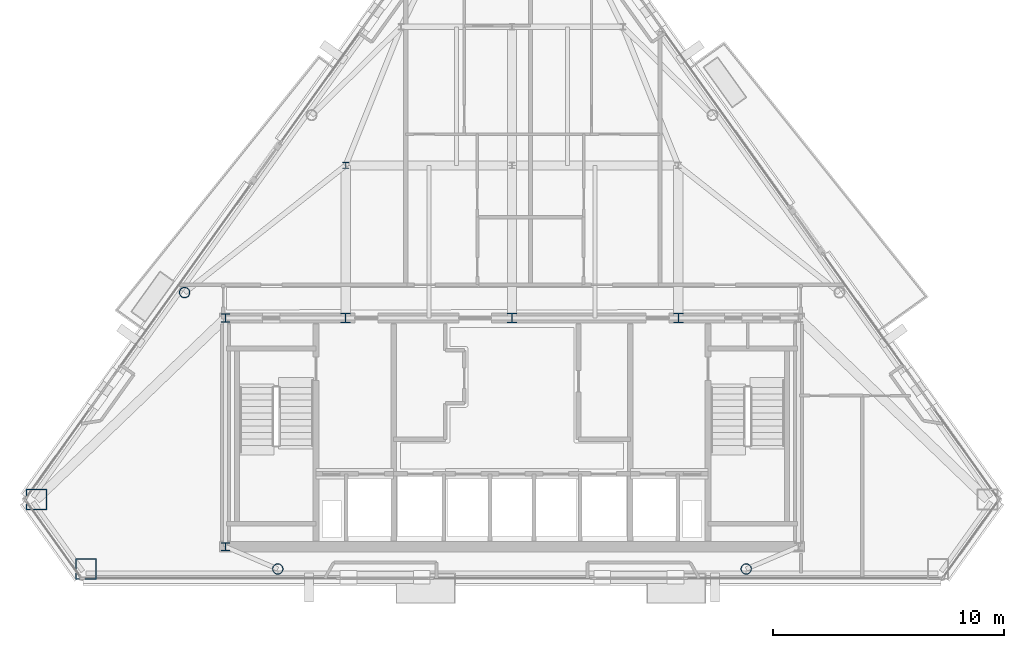
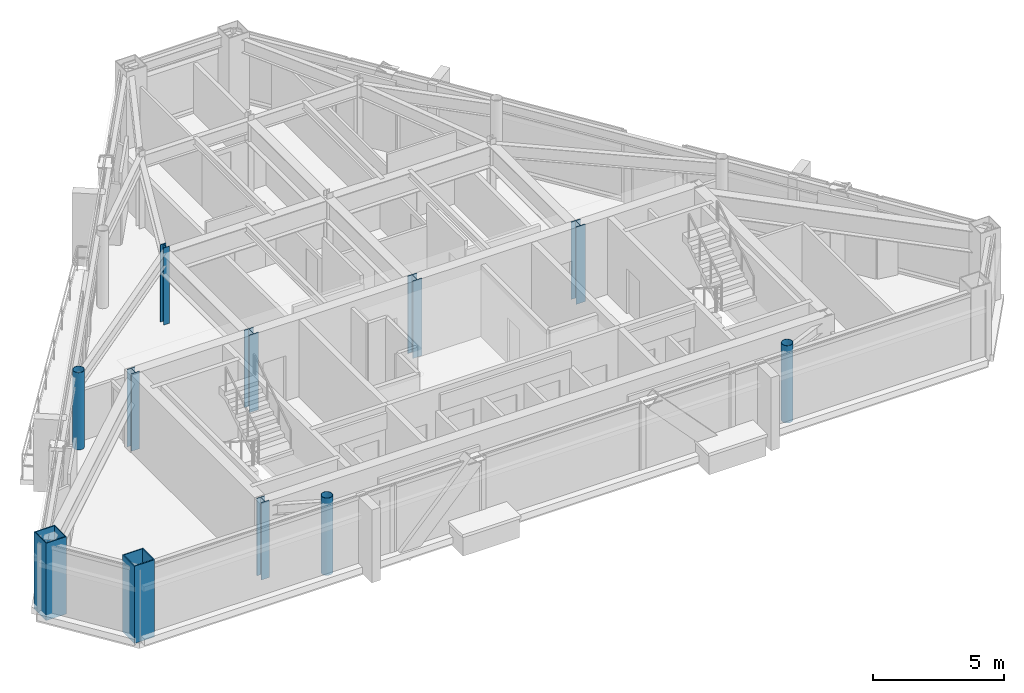
# One storey, part 1 of 12: 11 columns.
"""IFC4 building model written with IfcOpenShell, lengths in metres."""

from ifc_helpers import new_model, si_unit, direction, frame, origin, origin_2d, place, context, subcontext, project, spatial, hollow_rectangle, hollow_circle, i_section, extrude, material, material_profile, profile_set, type_object, element, save


model = new_model("IFC4")

# Units and contexts
model_context = context("Model", 3, precision=1e-05, world=origin(), true_north=direction((0.0, 1.0)))
body_context = subcontext(model_context, "Body", "Model", "MODEL_VIEW")
ifc_project = project(units=[si_unit("LENGTHUNIT", "METRE"), si_unit("AREAUNIT", "SQUARE_METRE"), si_unit("VOLUMEUNIT", "CUBIC_METRE"), si_unit("PLANEANGLEUNIT", "RADIAN"), si_unit("MASSUNIT", "GRAM", prefix="KILO")], contexts=[model_context])

# Site, building, storey
site_placement = place(None, origin())
site = spatial("IfcSite", under=ifc_project, at=site_placement, CompositionType="ELEMENT")
building_placement = place(site_placement, origin())
building = spatial("IfcBuilding", under=site, at=building_placement, Name="Talgorran Terracotta Tower", CompositionType="ELEMENT")
storey_placement = place(building_placement, frame((0.0, 0.0, 256.199951171875)))
storey = spatial("IfcBuildingStorey", under=building, at=storey_placement, Name="L67", CompositionType="ELEMENT", Elevation=256.199951171875)

# Columns
ifc_material_1 = material(Name="Steel S355 (300PLUS)", Category="steel")
ifc_material_profile_1 = material_profile(ifc_material_1, i_section(OverallWidth=0.256103515625, OverallDepth=0.260009765625, WebThickness=0.010498046875, FlangeThickness=0.017333984375, at=origin_2d()), Name="250UC89.5")
ifc_profile_set_1 = profile_set([ifc_material_profile_1], Name="Steel S355 (300PLUS)")
column_type_1 = type_object("IfcColumnType", Name="COL_250UC89", PredefinedType="COLUMN", material=ifc_profile_set_1)
column_placement = place(storey_placement, frame((-7.199951171875, 2.39990234375, 0.0), z_axis=(0.0, 0.0, 1.0), x_axis=(1.0, 0.0, 0.0)))
element("IfcColumn", 1, at=column_placement, inside=storey, type_object=column_type_1, Name="L67 Interior Gravity Column IC1", PredefinedType="COLUMN", context=body_context, shape_type="SweptSolid", body=[
    extrude(i_section(OverallWidth=0.256103515625, OverallDepth=0.260009765625, WebThickness=0.010498046875, FlangeThickness=0.017333984375, at=origin_2d()), origin(), (0.0, 0.0, 1.0), 3.60009765625),
])
ifc_material_profile_2 = material_profile(ifc_material_1, i_section(OverallWidth=0.35205078125, OverallDepth=0.35888671875, WebThickness=0.01806640625, FlangeThickness=0.02587890625, at=origin_2d()), Name="350WC197")
ifc_profile_set_2 = profile_set([ifc_material_profile_2], Name="Steel S355 (300PLUS)")
column_type_2 = type_object("IfcColumnType", Name="COL_350WC197", PredefinedType="COLUMN", material=ifc_profile_set_2)
for number, where, z_axis, x_axis, name in (
    (2, (-12.39990234375, -14.10009765625, 0.0), (0.0, 0.0, 1.0), (1.0, 0.0, 0.0), "L67 Core Boundary Column CC1"),
    (3, (-12.39990234375, -4.199951171875, 0.0), (0.0, 0.0, 1.0), (1.0, 0.0, 0.0), "L67 Core Boundary Column CC4"),
):
    element("IfcColumn", number, at=place(storey_placement, frame(where, z_axis=z_axis, x_axis=x_axis)), inside=storey, type_object=column_type_2, Name=name, PredefinedType="COLUMN", context=body_context, shape_type="SweptSolid", body=[
        extrude(i_section(OverallWidth=0.35205078125, OverallDepth=0.35888671875, WebThickness=0.01806640625, FlangeThickness=0.02587890625, at=origin_2d()), origin(), (0.0, 0.0, 1.0), 3.60009765625),
    ])
ifc_material_2 = material(Name="Steel Grade 350 (350L0)", Category="steel")
ifc_material_profile_3 = material_profile(ifc_material_2, hollow_rectangle(XDim=0.89990234375, YDim=0.89990234375, WallThickness=0.0400390625, at=origin_2d()), Name="CFT900X900X40")
ifc_profile_set_3 = profile_set([ifc_material_profile_3], Name="Steel Grade 350 (350L0)")
column_type_3 = type_object("IfcColumnType", Name="COL_CFT_900", PredefinedType="COLUMN", material=ifc_profile_set_3)
for number, where, z_axis, x_axis, name in (
    (4, (-20.585205078125, -12.056640625, 0.0), (0.0, 0.0, 1.0), (1.0, 0.0, 0.0), "L67 Corner CFT Mega-Column MC1"),
    (5, (-18.43212890625, -15.063232421875, 0.0), (0.0, 0.0, 1.0), (1.0, 0.0, 0.0), "L67 Corner CFT Mega-Column MC2"),
):
    element("IfcColumn", number, at=place(storey_placement, frame(where, z_axis=z_axis, x_axis=x_axis)), inside=storey, type_object=column_type_3, Name=name, PredefinedType="COLUMN", context=body_context, shape_type="SweptSolid", body=[
        extrude(hollow_rectangle(XDim=0.89990234375, YDim=0.89990234375, WallThickness=0.0400390625, at=origin_2d()), origin(), (0.0, 0.0, 1.0), 3.60009765625),
    ])
ifc_material_3 = material(Name="Steel S350 (C350L0)", Category="steel")
ifc_material_profile_4 = material_profile(ifc_material_3, hollow_circle(Radius=0.228515625, WallThickness=0.01611328125, at=origin_2d()), Name="CHS457X16")
ifc_profile_set_4 = profile_set([ifc_material_profile_4], Name="Steel S350 (C350L0)")
column_type_4 = type_object("IfcColumnType", Name="COL_CHS_457", PredefinedType="COLUMN", material=ifc_profile_set_4)
for number, where, z_axis, x_axis, name in (
    (6, (-10.1376953125, -15.063232421875, 0.0), (0.0, 0.0, 1.0), (1.0, 0.0, 0.0), "L67 Facet Perimeter Column FC1"),
    (7, (10.1376953125, -15.063232421875, 0.0), (0.0, 0.0, 1.0), (1.0, 0.0, 0.0), "L67 Facet Perimeter Column FC2"),
    (8, (-14.170654296875, -3.09912109375, 0.0), (0.0, 0.0, 1.0), (1.0, 0.0, 0.0), "L67 Facet Perimeter Column FC6"),
):
    element("IfcColumn", number, at=place(storey_placement, frame(where, z_axis=z_axis, x_axis=x_axis)), inside=storey, type_object=column_type_4, Name=name, PredefinedType="COLUMN", context=body_context, shape_type="SweptSolid", body=[
        extrude(hollow_circle(Radius=0.228515625, WallThickness=0.01611328125, at=origin_2d()), origin(), (0.0, 0.0, 1.0), 3.60009765625),
    ])
ifc_material_profile_5 = material_profile(ifc_material_1, i_section(OverallWidth=0.405029296875, OverallDepth=0.4140625, WebThickness=0.02197265625, FlangeThickness=0.031982421875, at=origin_2d()), Name="400WC270")
ifc_profile_set_5 = profile_set([ifc_material_profile_5], Name="Steel S355 (300PLUS)")
column_type_5 = type_object("IfcColumnType", Name="COL_PIL_400WC270", PredefinedType="PILASTER", material=ifc_profile_set_5)
for number, where, z_axis, x_axis, name in (
    (9, (-7.199951171875, -4.199951171875, 0.0), (0.0, 0.0, 1.0), (1.0, 0.0, 0.0), "L67 Core Shear Pilaster CP1"),
    (10, (0.0, -4.199951171875, 0.0), (0.0, 0.0, 1.0), (1.0, 0.0, 0.0), "L67 Core Shear Pilaster CP2"),
    (11, (7.199951171875, -4.199951171875, 0.0), (0.0, 0.0, 1.0), (1.0, 0.0, 0.0), "L67 Core Shear Pilaster CP3"),
):
    element("IfcColumn", number, at=place(storey_placement, frame(where, z_axis=z_axis, x_axis=x_axis)), inside=storey, type_object=column_type_5, Name=name, PredefinedType="PILASTER", context=body_context, shape_type="SweptSolid", body=[
        extrude(i_section(OverallWidth=0.405029296875, OverallDepth=0.4140625, WebThickness=0.02197265625, FlangeThickness=0.031982421875, at=origin_2d()), origin(), (0.0, 0.0, 1.0), 3.60009765625),
    ])

save(model, "model.ifc")
